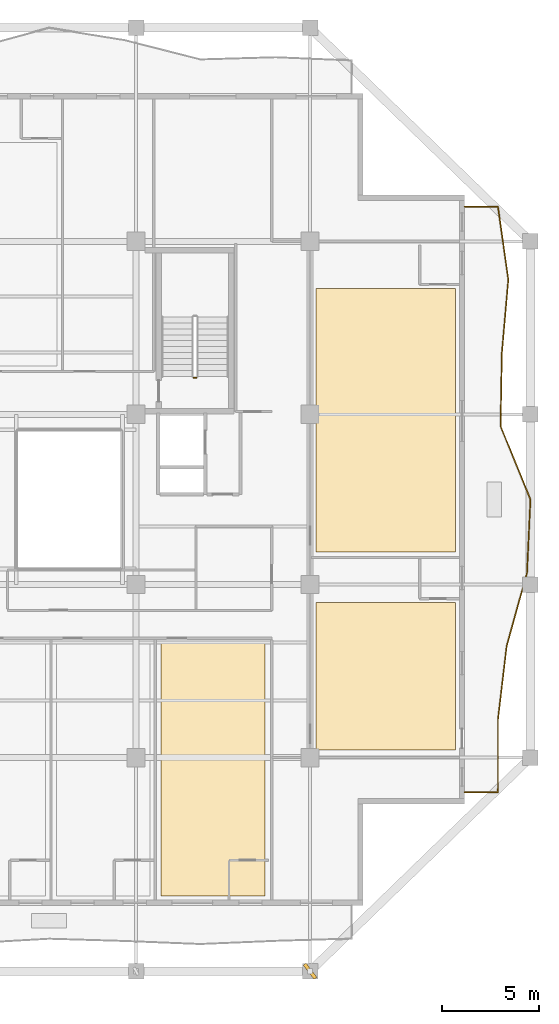
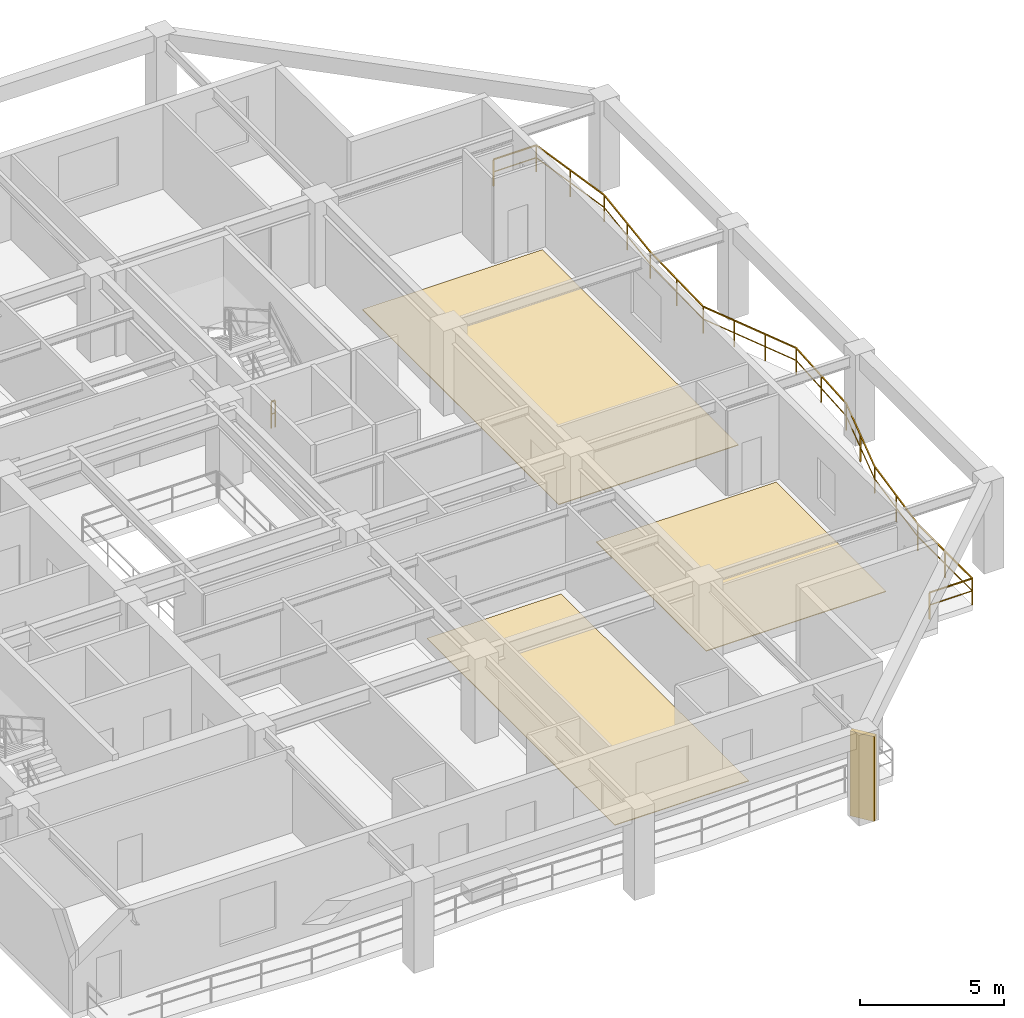
# One storey, part 10 of 13: 3 coverings, 2 railings, 1 shading device.
"""IFC4 building model written with IfcOpenShell, lengths in metres."""

from ifc_helpers import new_model, si_unit, direction, frame, origin, origin_2d, place, context, subcontext, project, spatial, polyline, rectangle, outline, extrude, material, layer, layer_set, type_object, element, save


model = new_model("IFC4")

# Units and contexts
model_context = context("Model", 3, precision=1e-05, world=origin(), true_north=direction((0.0, 1.0)))
body_context = subcontext(model_context, "Body", "Model", "MODEL_VIEW")
ifc_project = project(units=[si_unit("LENGTHUNIT", "METRE"), si_unit("AREAUNIT", "SQUARE_METRE"), si_unit("VOLUMEUNIT", "CUBIC_METRE"), si_unit("PLANEANGLEUNIT", "RADIAN"), si_unit("MASSUNIT", "GRAM", prefix="KILO")], contexts=[model_context])

# Site, building, storey
site_placement = place(None, origin())
site = spatial("IfcSite", under=ifc_project, at=site_placement, CompositionType="ELEMENT")
building_placement = place(site_placement, origin())
building = spatial("IfcBuilding", under=site, at=building_placement, Name="Kundavana Baori Tower", CompositionType="ELEMENT")
storey_placement = place(building_placement, frame((0.0, 0.0, 181.0)))
storey = spatial("IfcBuildingStorey", under=building, at=storey_placement, Name="L44", CompositionType="ELEMENT", Elevation=181.0)

# Coverings
ifc_material_1 = material(Name="Honed Kota Stone and Terrazzo Flooring", Category="masonry")
ifc_layer = layer(ifc_material_1, 0.030029296875, Name="COV-INT-FLR")
ifc_layer_set = layer_set([ifc_layer], Name="Honed Kota Stone and Terrazzo Flooring")
covering_type = type_object("IfcCoveringType", Name="COV-INT-FLR", PredefinedType="FLOORING", material=ifc_layer_set)
covering_1_placement = place(storey_placement, origin())
element("IfcCovering", 1, at=covering_1_placement, inside=storey, type_object=covering_type, Name="L44 Room Finished Stone Flooring 6", PredefinedType="FLOORING", context=body_context, shape_type="SweptSolid", body=[
    extrude(outline(polyline([(35.080078125, 8.080078125), (40.4599609375, 8.080078125), (40.4599609375, 21.139892578125), (35.080078125, 21.139892578125), (35.080078125, 8.080078125)])), origin(), (0.0, 0.0, 1.0), 0.030029296875),
])
covering_2_placement = place(storey_placement, origin())
element("IfcCovering", 2, at=covering_2_placement, inside=storey, type_object=covering_type, Name="L44 Room Finished Stone Flooring 7", PredefinedType="FLOORING", context=body_context, shape_type="SweptSolid", body=[
    extrude(outline(polyline([(43.10009765625, 15.6298828125), (50.320068359375, 15.6298828125), (50.320068359375, 23.27001953125), (43.10009765625, 23.27001953125), (43.10009765625, 15.6298828125)])), origin(), (0.0, 0.0, 1.0), 0.030029296875),
])
covering_3_placement = place(storey_placement, origin())
element("IfcCovering", 3, at=covering_3_placement, inside=storey, type_object=covering_type, Name="L44 Room Finished Stone Flooring 8", PredefinedType="FLOORING", context=body_context, shape_type="SweptSolid", body=[
    extrude(outline(polyline([(43.10009765625, 25.8798828125), (50.320068359375, 25.8798828125), (50.320068359375, 39.52001953125), (43.10009765625, 39.52001953125), (43.10009765625, 25.8798828125)])), origin(), (0.0, 0.0, 1.0), 0.030029296875),
])

# Railings
ifc_material_2 = material(Name="Architectural Patinated Bronze Metalwork")
railing_type_1 = type_object("IfcRailingType", Name="RL-BAL-1150", PredefinedType="BALUSTRADE", material=ifc_material_2)
railing_1_placement = place(storey_placement, frame((50.800048828125, 43.75, 0.0)))
element("IfcRailing", 4, at=railing_1_placement, inside=storey, type_object=railing_type_1, Name="L44 Loggia Balcony Balustrade E", PredefinedType="BALUSTRADE", context=body_context, shape_type="SweptSolid", body=[
    extrude(rectangle(XDim=0.048095703125, YDim=0.048095703125, at=origin_2d()), frame((0.0, 0.0, 1.1259765625), z_axis=(1.0, 0.0, 0.0), x_axis=(0.0, 1.0, 0.0)), (0.0, 0.0, 1.0), 1.719970703125),
    extrude(rectangle(XDim=0.03125, YDim=0.03125, at=origin_2d()), frame((0.0, 0.0, 0.597900390625), z_axis=(1.0, 0.0, 0.0), x_axis=(0.0, 1.0, 0.0)), (0.0, 0.0, 1.0), 1.719970703125),
    extrude(rectangle(XDim=0.048095703125, YDim=0.048095703125, at=origin_2d()), frame((1.719970703125, 0.0, 1.1259765625), z_axis=(0.140072192511, -0.990141293395, 0.0), x_axis=(0.990141293395, 0.140072192511, 0.0)), (0.0, 0.0, 1.0), 3.82568359375),
    extrude(rectangle(XDim=0.03125, YDim=0.03125, at=origin_2d()), frame((1.719970703125, 0.0, 0.597900390625), z_axis=(0.140072192511, -0.990141293395, 0.0), x_axis=(0.990141293395, 0.140072192511, 0.0)), (0.0, 0.0, 1.0), 3.82568359375),
    extrude(rectangle(XDim=0.048095703125, YDim=0.048095703125, at=origin_2d()), frame((2.255859375, -3.7880859375, 1.1259765625), z_axis=(-0.087599540451, -0.996155771209, 0.0), x_axis=(0.996155771209, -0.087599540451, 0.0)), (0.0, 0.0, 1.0), 3.801513671875),
    extrude(rectangle(XDim=0.03125, YDim=0.03125, at=origin_2d()), frame((2.255859375, -3.7880859375, 0.597900390625), z_axis=(-0.087599540451, -0.996155771209, 0.0), x_axis=(0.996155771209, -0.087599540451, 0.0)), (0.0, 0.0, 1.0), 3.801513671875),
    extrude(rectangle(XDim=0.048095703125, YDim=0.048095703125, at=origin_2d()), frame((1.9228515625, -7.574951171875, 1.1259765625), z_axis=(-0.017918731702, -0.999839446638, 0.0), x_axis=(0.999839446638, -0.017918731702, 0.0)), (0.0, 0.0, 1.0), 3.78759765625),
    extrude(rectangle(XDim=0.03125, YDim=0.03125, at=origin_2d()), frame((1.9228515625, -7.574951171875, 0.597900390625), z_axis=(-0.017918731702, -0.999839446638, 0.0), x_axis=(0.999839446638, -0.017918731702, 0.0)), (0.0, 0.0, 1.0), 3.78759765625),
    extrude(rectangle(XDim=0.048095703125, YDim=0.048095703125, at=origin_2d()), frame((1.85498046875, -11.362060546875, 1.1259765625), z_axis=(0.377658944289, -0.925944772542, 0.0), x_axis=(0.925944772542, 0.377658944289, 0.0)), (0.0, 0.0, 1.0), 4.0908203125),
    extrude(rectangle(XDim=0.03125, YDim=0.03125, at=origin_2d()), frame((1.85498046875, -11.362060546875, 0.597900390625), z_axis=(0.377658944289, -0.925944772542, 0.0), x_axis=(0.925944772542, 0.377658944289, 0.0)), (0.0, 0.0, 1.0), 4.0908203125),
    extrude(rectangle(XDim=0.048095703125, YDim=0.048095703125, at=origin_2d()), frame((3.39990234375, -15.14990234375, 1.1259765625), z_axis=(-0.04667503492, -0.998910126646, 0.0), x_axis=(0.998910126646, -0.04667503492, 0.0)), (0.0, 0.0, 1.0), 3.792236328125),
    extrude(rectangle(XDim=0.03125, YDim=0.03125, at=origin_2d()), frame((3.39990234375, -15.14990234375, 0.597900390625), z_axis=(-0.04667503492, -0.998910126646, 0.0), x_axis=(0.998910126646, -0.04667503492, 0.0)), (0.0, 0.0, 1.0), 3.792236328125),
    extrude(rectangle(XDim=0.048095703125, YDim=0.048095703125, at=origin_2d()), frame((3.222900390625, -18.93798828125, 1.1259765625), z_axis=(-0.267188862303, -0.963644183224, 0.0), x_axis=(0.963644183224, -0.267188862303, 0.0)), (0.0, 0.0, 1.0), 3.929931640625),
    extrude(rectangle(XDim=0.03125, YDim=0.03125, at=origin_2d()), frame((3.222900390625, -18.93798828125, 0.597900390625), z_axis=(-0.267188862303, -0.963644183224, 0.0), x_axis=(0.963644183224, -0.267188862303, 0.0)), (0.0, 0.0, 1.0), 3.929931640625),
    extrude(rectangle(XDim=0.048095703125, YDim=0.048095703125, at=origin_2d()), frame((2.1728515625, -22.72509765625, 1.1259765625), z_axis=(-0.118241445606, -0.992984874276, 0.0), x_axis=(0.992984874276, -0.118241445606, 0.0)), (0.0, 0.0, 1.0), 3.813720703125),
    extrude(rectangle(XDim=0.03125, YDim=0.03125, at=origin_2d()), frame((2.1728515625, -22.72509765625, 0.597900390625), z_axis=(-0.118241445606, -0.992984874276, 0.0), x_axis=(0.992984874276, -0.118241445606, 0.0)), (0.0, 0.0, 1.0), 3.813720703125),
    extrude(rectangle(XDim=0.048095703125, YDim=0.048095703125, at=origin_2d()), frame((1.721923828125, -26.511962890625, 1.1259765625), z_axis=(-0.000515596735, -0.99999986708, 0.0), x_axis=(0.99999986708, -0.000515596735, 0.0)), (0.0, 0.0, 1.0), 3.7880859375),
    extrude(rectangle(XDim=0.03125, YDim=0.03125, at=origin_2d()), frame((1.721923828125, -26.511962890625, 0.597900390625), z_axis=(-0.000515596735, -0.99999986708, 0.0), x_axis=(0.99999986708, -0.000515596735, 0.0)), (0.0, 0.0, 1.0), 3.7880859375),
    extrude(rectangle(XDim=0.048095703125, YDim=0.048095703125, at=origin_2d()), frame((1.719970703125, -30.300048828125, 1.1259765625), z_axis=(-1.0, 0.0, 0.0), x_axis=(0.0, -1.0, 0.0)), (0.0, 0.0, 1.0), 1.719970703125),
    extrude(rectangle(XDim=0.03125, YDim=0.03125, at=origin_2d()), frame((1.719970703125, -30.300048828125, 0.597900390625), z_axis=(-1.0, 0.0, 0.0), x_axis=(0.0, -1.0, 0.0)), (0.0, 0.0, 1.0), 1.719970703125),
    extrude(rectangle(XDim=0.0419921875, YDim=0.0419921875, at=origin_2d()), origin(), (0.0, 0.0, 1.0), 1.101806640625),
    extrude(rectangle(XDim=0.0419921875, YDim=0.0419921875, at=origin_2d()), frame((1.719970703125, 0.0, 0.0)), (0.0, 0.0, 1.0), 1.101806640625),
    extrude(rectangle(XDim=0.0419921875, YDim=0.0419921875, at=origin_2d()), frame((1.98779296875, -1.89404296875, 0.0)), (0.0, 0.0, 1.0), 1.101806640625),
    extrude(rectangle(XDim=0.0419921875, YDim=0.0419921875, at=origin_2d()), frame((2.255859375, -3.7880859375, 0.0)), (0.0, 0.0, 1.0), 1.101806640625),
    extrude(rectangle(XDim=0.0419921875, YDim=0.0419921875, at=origin_2d()), frame((2.08935546875, -5.681640625, 0.0)), (0.0, 0.0, 1.0), 1.101806640625),
    extrude(rectangle(XDim=0.0419921875, YDim=0.0419921875, at=origin_2d()), frame((1.9228515625, -7.574951171875, 0.0)), (0.0, 0.0, 1.0), 1.101806640625),
    extrude(rectangle(XDim=0.0419921875, YDim=0.0419921875, at=origin_2d()), frame((1.888916015625, -9.468505859375, 0.0)), (0.0, 0.0, 1.0), 1.101806640625),
    extrude(rectangle(XDim=0.0419921875, YDim=0.0419921875, at=origin_2d()), frame((1.85498046875, -11.362060546875, 0.0)), (0.0, 0.0, 1.0), 1.101806640625),
    extrude(rectangle(XDim=0.0419921875, YDim=0.0419921875, at=origin_2d()), frame((2.369873046875, -12.624755859375, 0.0)), (0.0, 0.0, 1.0), 1.101806640625),
    extrude(rectangle(XDim=0.0419921875, YDim=0.0419921875, at=origin_2d()), frame((2.885009765625, -13.88720703125, 0.0)), (0.0, 0.0, 1.0), 1.101806640625),
    extrude(rectangle(XDim=0.0419921875, YDim=0.0419921875, at=origin_2d()), frame((3.39990234375, -15.14990234375, 0.0)), (0.0, 0.0, 1.0), 1.101806640625),
    extrude(rectangle(XDim=0.0419921875, YDim=0.0419921875, at=origin_2d()), frame((3.3115234375, -17.0439453125, 0.0)), (0.0, 0.0, 1.0), 1.101806640625),
    extrude(rectangle(XDim=0.0419921875, YDim=0.0419921875, at=origin_2d()), frame((3.222900390625, -18.93798828125, 0.0)), (0.0, 0.0, 1.0), 1.101806640625),
    extrude(rectangle(XDim=0.0419921875, YDim=0.0419921875, at=origin_2d()), frame((2.69775390625, -20.83154296875, 0.0)), (0.0, 0.0, 1.0), 1.101806640625),
    extrude(rectangle(XDim=0.0419921875, YDim=0.0419921875, at=origin_2d()), frame((2.1728515625, -22.72509765625, 0.0)), (0.0, 0.0, 1.0), 1.101806640625),
    extrude(rectangle(XDim=0.0419921875, YDim=0.0419921875, at=origin_2d()), frame((1.947265625, -24.61865234375, 0.0)), (0.0, 0.0, 1.0), 1.101806640625),
    extrude(rectangle(XDim=0.0419921875, YDim=0.0419921875, at=origin_2d()), frame((1.721923828125, -26.511962890625, 0.0)), (0.0, 0.0, 1.0), 1.101806640625),
    extrude(rectangle(XDim=0.0419921875, YDim=0.0419921875, at=origin_2d()), frame((1.720947265625, -28.406005859375, 0.0)), (0.0, 0.0, 1.0), 1.101806640625),
    extrude(rectangle(XDim=0.0419921875, YDim=0.0419921875, at=origin_2d()), frame((1.719970703125, -30.300048828125, 0.0)), (0.0, 0.0, 1.0), 1.101806640625),
    extrude(rectangle(XDim=0.0419921875, YDim=0.0419921875, at=origin_2d()), frame((0.0, -30.300048828125, 0.0)), (0.0, 0.0, 1.0), 1.101806640625),
])
ifc_material_3 = material(Name="Architectural Patinated Bronze Metalwork")
railing_type_2 = type_object("IfcRailingType", Name="RL-GRD-1150", PredefinedType="GUARDRAIL", material=ifc_material_3)
railing_2_placement = place(storey_placement, frame((36.929931640625, 34.89990234375, 0.0)))
element("IfcRailing", 5, at=railing_2_placement, inside=storey, type_object=railing_type_2, Name="L44 ST3 stair guard 4", PredefinedType="GUARDRAIL", context=body_context, shape_type="SweptSolid", body=[
    extrude(rectangle(XDim=0.048095703125, YDim=0.048095703125, at=origin_2d()), frame((0.0, 0.0, 1.1259765625), z_axis=(-1.0, 0.0, 0.0), x_axis=(0.0, -1.0, 0.0)), (0.0, 0.0, 1.0), 0.159912109375),
    extrude(rectangle(XDim=0.03125, YDim=0.03125, at=origin_2d()), frame((0.0, 0.0, 0.597900390625), z_axis=(-1.0, 0.0, 0.0), x_axis=(0.0, -1.0, 0.0)), (0.0, 0.0, 1.0), 0.159912109375),
    extrude(rectangle(XDim=0.0419921875, YDim=0.0419921875, at=origin_2d()), origin(), (0.0, 0.0, 1.0), 1.101806640625),
    extrude(rectangle(XDim=0.0419921875, YDim=0.0419921875, at=origin_2d()), frame((-0.159912109375, 0.0, 0.0)), (0.0, 0.0, 1.0), 1.101806640625),
])

# Shading device
ifc_material_4 = material(Name="Red-Buff Dholpur Sandstone Cladding on Concrete C40/50", Category="masonry")
shading_device_type = type_object("IfcShadingDeviceType", Name="SHD-FIN-920", PredefinedType="JALOUSIE", material=ifc_material_4)
shading_device_placement = place(storey_placement, frame((42.800048828125, 4.199951171875, 0.0), z_axis=(0.0, 0.0, 1.0), x_axis=(0.796213241496, 0.605016094056, 0.0)))
element("IfcShadingDevice", 6, at=shading_device_placement, inside=storey, type_object=shading_device_type, Name="L44 Sweeping Dholpur Sandstone Facade Fin 4", PredefinedType="JALOUSIE", context=body_context, shape_type="SweptSolid", body=[
    extrude(rectangle(XDim=0.179931640625, YDim=0.919921875, at=origin_2d()), origin(), (0.0, 0.0, 1.0), 3.60009765625),
])

save(model, "model.ifc")
